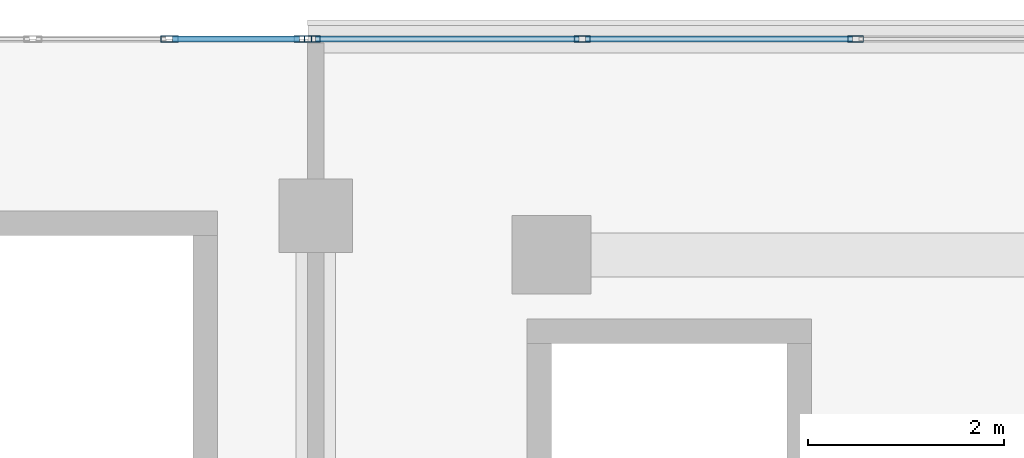
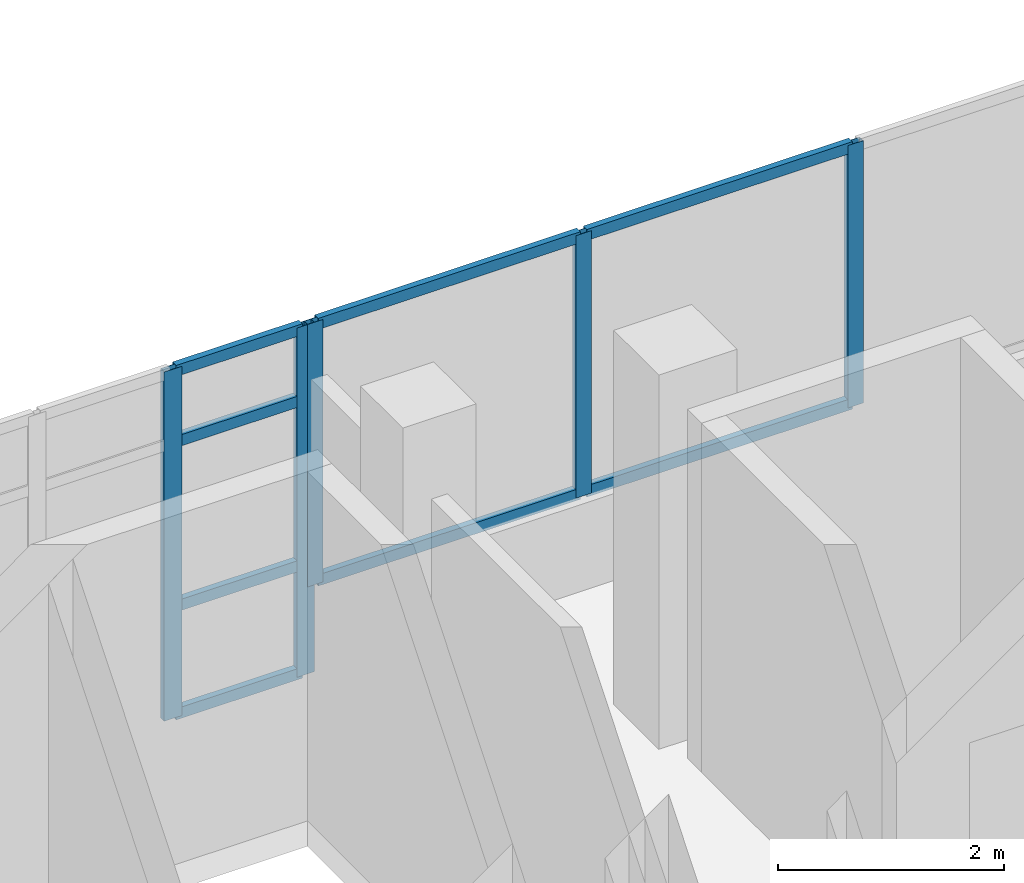
# One storey, part 23 of 76: 13 members, 2 elements without a shape of their own.
"""IFC4 building model written with IfcOpenShell, lengths in metres."""

from ifc_helpers import new_model, si_unit, direction, frame, origin, origin_2d, place, context, subcontext, project, spatial, hollow_rectangle, extrude, material, material_profile, profile_set, type_object, element, aggregate, save


model = new_model("IFC4")

# Units and contexts
model_context = context("Model", 3, precision=1e-05, world=origin(), true_north=direction((0.0, 1.0)))
body_context = subcontext(model_context, "Body", "Model", "MODEL_VIEW")
ifc_project = project(units=[si_unit("LENGTHUNIT", "METRE"), si_unit("AREAUNIT", "SQUARE_METRE"), si_unit("VOLUMEUNIT", "CUBIC_METRE"), si_unit("PLANEANGLEUNIT", "RADIAN"), si_unit("MASSUNIT", "GRAM", prefix="KILO")], contexts=[model_context])

# Site, building, storey
site_placement = place(None, origin())
site = spatial("IfcSite", under=ifc_project, at=site_placement, CompositionType="ELEMENT")
building_placement = place(site_placement, origin())
building = spatial("IfcBuilding", under=site, at=building_placement, Name="Selatvlak General Hospital", CompositionType="ELEMENT")
storey_placement = place(building_placement, frame((0.0, 0.0, 27.300048828125)))
storey = spatial("IfcBuildingStorey", under=building, at=storey_placement, Name="L06", CompositionType="ELEMENT", Elevation=27.300048828125)

# Curtain wall, members
ifc_material_1 = material(Name="Solar-control Low-E double glazing", Category="glass")
curtain_wall_type_1 = type_object("IfcCurtainWallType", Name="CW-CW-02", PredefinedType="USERDEFINED", material=ifc_material_1)
curtain_wall_1_placement = place(storey_placement, origin())
curtain_wall_1 = element("IfcCurtainWall", 1, at=curtain_wall_1_placement, inside=storey, type_object=curtain_wall_type_1, Name="Glazed facade curtain wall CW-L06-0602", ObjectType="UNITISED CURTAIN WALL", PredefinedType="USERDEFINED")
ifc_material_2 = material(Name="Dark anodised aluminium mullion", Category="aluminium")
ifc_material_profile_1 = material_profile(ifc_material_2, hollow_rectangle(XDim=0.06494140625, YDim=0.159912109375, WallThickness=0.00390625, at=origin_2d()), Name="AL-MUL 65x160x4")
ifc_profile_set_1 = profile_set([ifc_material_profile_1], Name="Dark anodised aluminium mullion")
member_type_1 = type_object("IfcMemberType", Name="CWM-01", PredefinedType="MULLION", material=ifc_profile_set_1)
member_1_placement = place(storey_placement, frame((56.363525390625, 119.9990234375, 0.93994140625), z_axis=(0.0, 0.0, 1.0), x_axis=(0.0, 1.0, 0.0)))
member_1 = element("IfcMember", 2, at=member_1_placement, type_object=member_type_1, Name="CW-02 mullion 1", PredefinedType="MULLION", context=body_context, shape_type="SweptSolid", body=[
    extrude(hollow_rectangle(XDim=0.06494140625, YDim=0.159912109375, WallThickness=0.00390625, at=origin_2d()), origin(), (0.0, 0.0, 1.0), 2.840087890625),
])
member_2_placement = place(storey_placement, frame((59.11376953125, 119.9990234375, 0.93994140625), z_axis=(0.0, 0.0, 1.0), x_axis=(0.0, 1.0, 0.0)))
member_2 = element("IfcMember", 3, at=member_2_placement, type_object=member_type_1, Name="CW-02 mullion 2", PredefinedType="MULLION", context=body_context, shape_type="SweptSolid", body=[
    extrude(hollow_rectangle(XDim=0.06494140625, YDim=0.159912109375, WallThickness=0.00390625, at=origin_2d()), origin(), (0.0, 0.0, 1.0), 2.840087890625),
])
member_3_placement = place(storey_placement, frame((61.896240234375, 119.9990234375, 0.93994140625), z_axis=(0.0, 0.0, 1.0), x_axis=(0.0, 1.0, 0.0)))
member_3 = element("IfcMember", 4, at=member_3_placement, type_object=member_type_1, Name="CW-02 mullion 3", PredefinedType="MULLION", context=body_context, shape_type="SweptSolid", body=[
    extrude(hollow_rectangle(XDim=0.06494140625, YDim=0.159912109375, WallThickness=0.00390625, at=origin_2d()), origin(), (0.0, 0.0, 1.0), 2.840087890625),
])

curtain_wall_type_2 = type_object("IfcCurtainWallType", Name="CW-CW-04", PredefinedType="USERDEFINED", material=ifc_material_1)
curtain_wall_2_placement = place(storey_placement, origin())
curtain_wall_2 = element("IfcCurtainWall", 5, at=curtain_wall_2_placement, inside=storey, type_object=curtain_wall_type_2, Name="Glazed facade curtain wall CW-L06-0601", ObjectType="STICK GLAZING WALL", PredefinedType="USERDEFINED")
ifc_material_profile_2 = material_profile(ifc_material_2, hollow_rectangle(XDim=0.06494140625, YDim=0.179931640625, WallThickness=0.00439453125, at=origin_2d()), Name="AL-MUL 65x180x4.5")
ifc_profile_set_2 = profile_set([ifc_material_profile_2], Name="Dark anodised aluminium mullion")
member_type_2 = type_object("IfcMemberType", Name="CWM-02", PredefinedType="MULLION", material=ifc_profile_set_2)
member_4_placement = place(storey_placement, frame((54.909423828125, 119.9990234375, 0.0), z_axis=(0.0, 0.0, 1.0), x_axis=(0.0, 1.0, 0.0)))
member_4 = element("IfcMember", 6, at=member_4_placement, type_object=member_type_2, Name="CW-04 mullion 6", PredefinedType="MULLION", context=body_context, shape_type="SweptSolid", body=[
    extrude(hollow_rectangle(XDim=0.06494140625, YDim=0.179931640625, WallThickness=0.00439453125, at=origin_2d()), origin(), (0.0, 0.0, 1.0), 3.780029296875),
])
member_5_placement = place(storey_placement, frame((56.2685546875, 119.9990234375, 0.0), z_axis=(0.0, 0.0, 1.0), x_axis=(0.0, 1.0, 0.0)))
member_5 = element("IfcMember", 7, at=member_5_placement, type_object=member_type_2, Name="CW-04 mullion 7", PredefinedType="MULLION", context=body_context, shape_type="SweptSolid", body=[
    extrude(hollow_rectangle(XDim=0.06494140625, YDim=0.179931640625, WallThickness=0.00439453125, at=origin_2d()), origin(), (0.0, 0.0, 1.0), 3.780029296875),
])
ifc_material_profile_3 = material_profile(ifc_material_2, hollow_rectangle(XDim=0.06494140625, YDim=0.1201171875, WallThickness=0.00390625, at=origin_2d()), Name="AL-TRN 65x120x4")
ifc_profile_set_3 = profile_set([ifc_material_profile_3], Name="Dark anodised aluminium mullion")
member_type_3 = type_object("IfcMemberType", Name="CWT-01", PredefinedType="USERDEFINED", material=ifc_profile_set_3)
member_6_placement = place(storey_placement, frame((54.94189453125, 119.9990234375, 0.032470703125), z_axis=(1.0, 0.0, 0.0), x_axis=(0.0, 1.0, 0.0)))
member_6 = element("IfcMember", 8, at=member_6_placement, type_object=member_type_3, Name="CW-04 transom 6.1", ObjectType="TRANSOM", PredefinedType="USERDEFINED", context=body_context, shape_type="SweptSolid", body=[
    extrude(hollow_rectangle(XDim=0.06494140625, YDim=0.1201171875, WallThickness=0.00390625, at=origin_2d()), origin(), (0.0, 0.0, 1.0), 1.294189453125),
])
member_7_placement = place(storey_placement, frame((54.94189453125, 119.9990234375, 1.199951171875), z_axis=(1.0, 0.0, 0.0), x_axis=(0.0, 1.0, 0.0)))
member_7 = element("IfcMember", 9, at=member_7_placement, type_object=member_type_3, Name="CW-04 transom 6.2", ObjectType="TRANSOM", PredefinedType="USERDEFINED", context=body_context, shape_type="SweptSolid", body=[
    extrude(hollow_rectangle(XDim=0.06494140625, YDim=0.1201171875, WallThickness=0.00390625, at=origin_2d()), origin(), (0.0, 0.0, 1.0), 1.294189453125),
])
member_8_placement = place(storey_placement, frame((54.94189453125, 119.9990234375, 2.97998046875), z_axis=(1.0, 0.0, 0.0), x_axis=(0.0, 1.0, 0.0)))
member_8 = element("IfcMember", 10, at=member_8_placement, type_object=member_type_3, Name="CW-04 transom 6.3", ObjectType="TRANSOM", PredefinedType="USERDEFINED", context=body_context, shape_type="SweptSolid", body=[
    extrude(hollow_rectangle(XDim=0.06494140625, YDim=0.1201171875, WallThickness=0.00390625, at=origin_2d()), origin(), (0.0, 0.0, 1.0), 1.294189453125),
])
member_9_placement = place(storey_placement, frame((54.94189453125, 119.9990234375, 3.74755859375), z_axis=(1.0, 0.0, 0.0), x_axis=(0.0, 1.0, 0.0)))
member_9 = element("IfcMember", 11, at=member_9_placement, type_object=member_type_3, Name="CW-04 transom 6.4", ObjectType="TRANSOM", PredefinedType="USERDEFINED", context=body_context, shape_type="SweptSolid", body=[
    extrude(hollow_rectangle(XDim=0.06494140625, YDim=0.1201171875, WallThickness=0.00390625, at=origin_2d()), origin(), (0.0, 0.0, 1.0), 1.294189453125),
])
aggregate(curtain_wall_2, [member_4, member_5, member_6, member_7, member_8, member_9])

# Member
member_10_placement = place(storey_placement, frame((56.39599609375, 119.9990234375, 0.972412109375), z_axis=(1.0, 0.0, 0.0), x_axis=(0.0, 1.0, 0.0)))
member_10 = element("IfcMember", 12, at=member_10_placement, type_object=member_type_3, Name="CW-02 transom 1.1", ObjectType="TRANSOM", PredefinedType="USERDEFINED", context=body_context, shape_type="SweptSolid", body=[
    extrude(hollow_rectangle(XDim=0.06494140625, YDim=0.1201171875, WallThickness=0.00390625, at=origin_2d()), origin(), (0.0, 0.0, 1.0), 2.68505859375),
])

member_11_placement = place(storey_placement, frame((56.39599609375, 119.9990234375, 3.74755859375), z_axis=(1.0, 0.0, 0.0), x_axis=(0.0, 1.0, 0.0)))
member_11 = element("IfcMember", 13, at=member_11_placement, type_object=member_type_3, Name="CW-02 transom 1.2", ObjectType="TRANSOM", PredefinedType="USERDEFINED", context=body_context, shape_type="SweptSolid", body=[
    extrude(hollow_rectangle(XDim=0.06494140625, YDim=0.1201171875, WallThickness=0.00390625, at=origin_2d()), origin(), (0.0, 0.0, 1.0), 2.68505859375),
])

member_12_placement = place(storey_placement, frame((59.146240234375, 119.9990234375, 0.972412109375), z_axis=(1.0, 0.0, 0.0), x_axis=(0.0, 1.0, 0.0)))
member_12 = element("IfcMember", 14, at=member_12_placement, type_object=member_type_3, Name="CW-02 transom 2.1", ObjectType="TRANSOM", PredefinedType="USERDEFINED", context=body_context, shape_type="SweptSolid", body=[
    extrude(hollow_rectangle(XDim=0.06494140625, YDim=0.1201171875, WallThickness=0.00390625, at=origin_2d()), origin(), (0.0, 0.0, 1.0), 2.717529296875),
])

member_13_placement = place(storey_placement, frame((59.146240234375, 119.9990234375, 3.74755859375), z_axis=(1.0, 0.0, 0.0), x_axis=(0.0, 1.0, 0.0)))
member_13 = element("IfcMember", 15, at=member_13_placement, type_object=member_type_3, Name="CW-02 transom 2.2", ObjectType="TRANSOM", PredefinedType="USERDEFINED", context=body_context, shape_type="SweptSolid", body=[
    extrude(hollow_rectangle(XDim=0.06494140625, YDim=0.1201171875, WallThickness=0.00390625, at=origin_2d()), origin(), (0.0, 0.0, 1.0), 2.717529296875),
])

aggregate(curtain_wall_1, [member_1, member_2, member_3, member_10, member_11, member_12, member_13])

save(model, "model.ifc")
